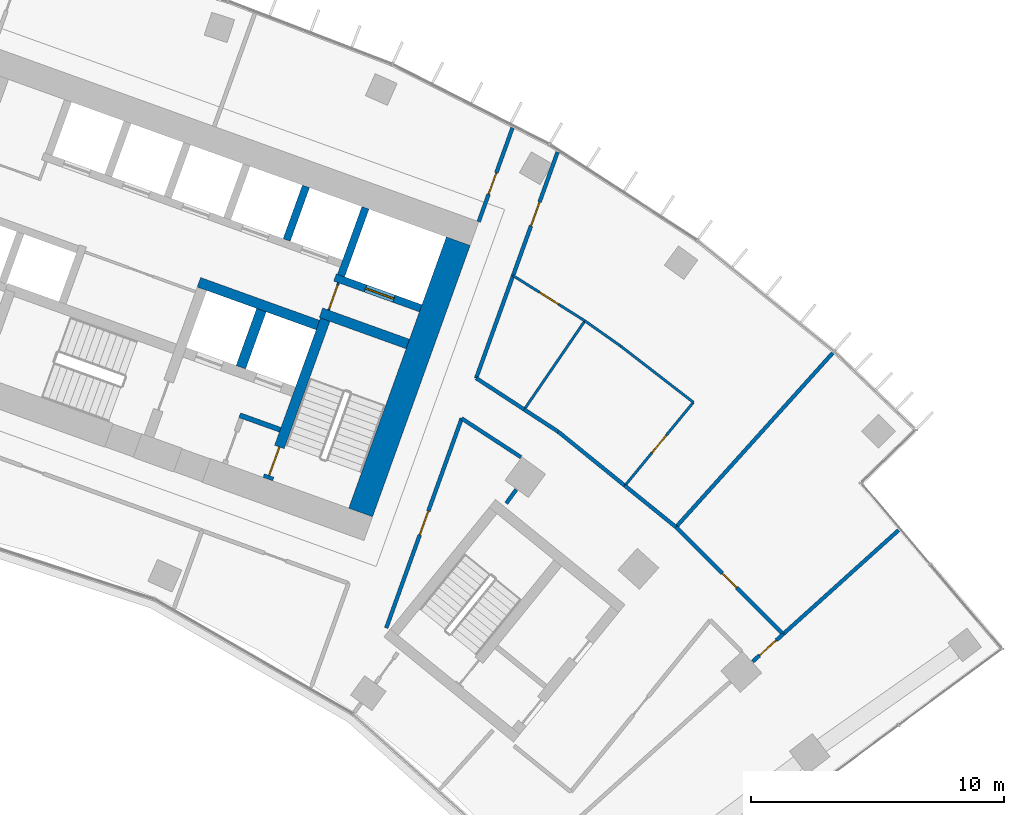
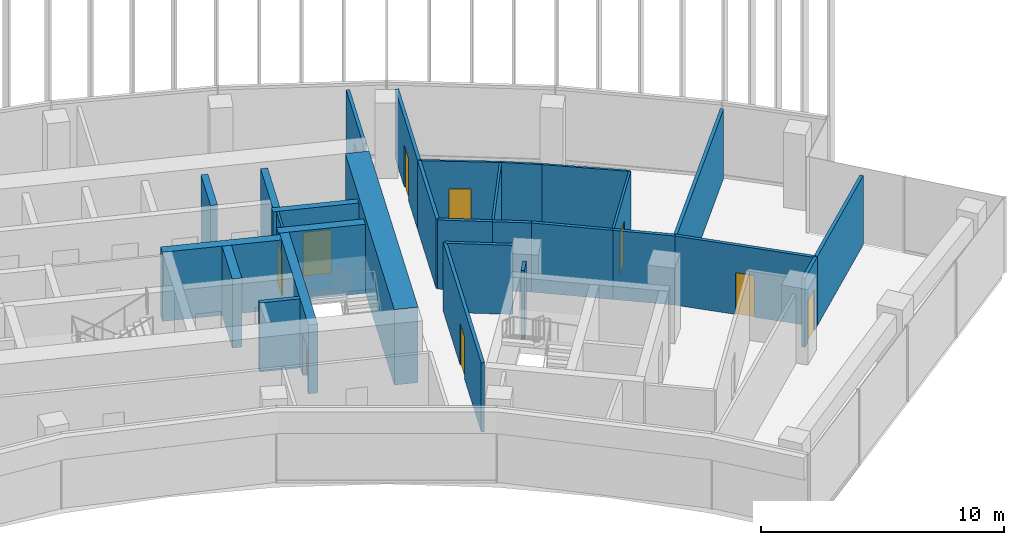
# One storey, part 17 of 19: 29 walls, 10 doors, 10 openings.
"""IFC4 building model written with IfcOpenShell, lengths in metres."""

from ifc_helpers import new_model, si_unit, direction, frame, frame_2d, origin, place, context, subcontext, project, spatial, rectangle, extrude, material, layer, layer_set, type_object, element, fill, save


model = new_model("IFC4")

# Units and contexts
model_context = context("Model", 3, precision=1e-05, world=origin(), true_north=direction((0.0, 1.0)))
body_context = subcontext(model_context, "Body", "Model", "MODEL_VIEW")
ifc_project = project(units=[si_unit("LENGTHUNIT", "METRE"), si_unit("AREAUNIT", "SQUARE_METRE"), si_unit("VOLUMEUNIT", "CUBIC_METRE"), si_unit("PLANEANGLEUNIT", "RADIAN"), si_unit("MASSUNIT", "GRAM", prefix="KILO")], contexts=[model_context])

# Site, building, storey
site_placement = place(None, origin())
site = spatial("IfcSite", under=ifc_project, at=site_placement, CompositionType="ELEMENT")
building_placement = place(site_placement, origin())
building = spatial("IfcBuilding", under=site, at=building_placement, Name="Stone Belt Terrace Tower", CompositionType="ELEMENT")
storey_placement = place(building_placement, frame((0.0, 0.0, 235.199951171875)))
storey = spatial("IfcBuildingStorey", under=building, at=storey_placement, Name="L57", CompositionType="ELEMENT", Elevation=235.199951171875)

# Wall, opening, door
ifc_material_1 = material(Name="Plasterboard partition")
ifc_layer_1 = layer(ifc_material_1, 0.10009765625)
ifc_layer_set_1 = layer_set([ifc_layer_1], Name="Core partition 100")
wall_type_1 = type_object("IfcWallType", Name="Core partition 100", PredefinedType="PARTITIONING", material=ifc_layer_set_1)
wall_1_placement = place(storey_placement, frame((24.555908203125, 51.10400390625, 0.0), z_axis=(0.0, 0.0, 1.0), x_axis=(0.338621735342, 0.94092258999, 0.0)))
wall_1 = element("IfcWall", 1, at=wall_1_placement, inside=storey, type_object=wall_type_1, Name="Core B wall", PredefinedType="PARTITIONING", context=body_context, shape_type="SweptSolid", body=[
    extrude(rectangle(XDim=1.14990234375, YDim=0.10009765625, at=frame_2d((0.574951171875, 0.0))), origin(), (0.0, 0.0, 1.0), 3.47998046875),
])
opening_1_placement = place(wall_1_placement, frame((0.050048828125, 0.0, 0.0)))
opening_1 = element("IfcOpeningElement", 2, at=opening_1_placement, cuts=wall_1, Name="Opening L57-C14", PredefinedType="OPENING", context=body_context, shape_type="SweptSolid", body=[
    extrude(rectangle(XDim=1.0, YDim=2.10009765625, at=frame_2d((0.5, 1.050048828125))), frame((0.0, 0.06005859375, 0.0), z_axis=(0.0, -1.0, 0.0), x_axis=(1.0, 0.0, 0.0)), (0.0, 0.0, 1.0), 0.1201171875),
])
ifc_material_2 = material(Name="Timber door leaf", Category="wood")
door_type_1 = type_object("IfcDoorType", Name="Core room door 1000", OperationType="SINGLE_SWING_LEFT", PredefinedType="DOOR", material=ifc_material_2)
door_1_placement = place(opening_1_placement, origin())
door_1 = element("IfcDoor", 3, at=door_1_placement, inside=storey, type_object=door_type_1, Name="Service lift lobby door core B", OperationType="SINGLE_SWING_RIGHT", OverallHeight=2.10009765625, OverallWidth=1.0, PredefinedType="DOOR", context=body_context, shape_type="SweptSolid", body=[
    extrude(rectangle(XDim=1.0, YDim=2.10009765625, at=frame_2d((0.5, 1.050048828125))), frame((0.0, 0.02490234375, 0.0), z_axis=(0.0, -1.0, 0.0), x_axis=(1.0, 0.0, 0.0)), (0.0, 0.0, 1.0), 0.050048828125),
])
fill(opening_1, door_1)

# Walls
ifc_material_3 = material(Name="Concrete B60", Category="concrete")
ifc_layer_2 = layer(ifc_material_3, 1.0)
ifc_layer_set_2 = layer_set([ifc_layer_2], Name="Core wall 1000 B60")
wall_type_2 = type_object("IfcWallType", Name="Core wall 1000 B60", PredefinedType="SHEAR", material=ifc_layer_set_2)
wall_2_placement = place(storey_placement, frame((25.821044921875, 43.102783203125, 0.0), z_axis=(0.0, 0.0, 1.0), x_axis=(0.338625431531, 0.940921259788, 0.0)))
element("IfcWall", 4, at=wall_2_placement, inside=storey, type_object=wall_type_2, Name="Core B wall end_b L57", PredefinedType="SHEAR", context=body_context, shape_type="SweptSolid", body=[
    extrude(rectangle(XDim=11.400146484375, YDim=1.0, at=frame_2d((5.7001953125, 0.0))), origin(), (0.0, 0.0, 1.0), 3.800048828125),
])
ifc_material_4 = material(Name="Concrete B80", Category="concrete")
ifc_layer_3 = layer(ifc_material_4, 0.39990234375)
ifc_layer_set_3 = layer_set([ifc_layer_3], Name="Fire-fighting lift shaft wall 400")
wall_type_3 = type_object("IfcWallType", Name="Fire-fighting lift shaft wall 400", PredefinedType="SHEAR", material=ifc_layer_set_3)
wall_3_placement = place(storey_placement, frame((24.130615234375, 50.512939453125, 0.0), z_axis=(0.0, 0.0, 1.0), x_axis=(-0.94091168377, 0.338652038744, 0.0)))
element("IfcWall", 5, at=wall_3_placement, inside=storey, type_object=wall_type_3, Name="Core B wall", PredefinedType="SHEAR", context=body_context, shape_type="SweptSolid", body=[
    extrude(rectangle(XDim=5.000244140625, YDim=0.39990234375, at=frame_2d((2.5, 0.0))), origin(), (0.0, 0.0, 1.0), 3.47998046875),
])
wall_4_placement = place(storey_placement, frame((21.0859375, 48.845458984375, 0.0), z_axis=(0.0, 0.0, 1.0), x_axis=(0.338629416206, 0.940919825745, 0.0)))
element("IfcWall", 6, at=wall_4_placement, inside=storey, type_object=wall_type_3, Name="Core B wall", PredefinedType="SHEAR", context=body_context, shape_type="SweptSolid", body=[
    extrude(rectangle(XDim=2.400146484375, YDim=0.39990234375, at=frame_2d((1.2001953125, 0.0))), origin(), (0.0, 0.0, 1.0), 3.47998046875),
])

# Wall, opening, door
ifc_layer_4 = layer(ifc_material_4, 0.300048828125)
ifc_layer_set_4 = layer_set([ifc_layer_4], Name="Lift shaft wall 300")
wall_type_4 = type_object("IfcWallType", Name="Lift shaft wall 300", PredefinedType="SHEAR", material=ifc_layer_set_4)
wall_5_placement = place(storey_placement, frame((28.195068359375, 51.17578125, 0.0), z_axis=(0.0, 0.0, 1.0), x_axis=(-0.940901243567, 0.338681044427, 0.0)))
wall_5 = element("IfcWall", 7, at=wall_5_placement, inside=storey, type_object=wall_type_4, Name="Core B wall", PredefinedType="SHEAR", context=body_context, shape_type="SweptSolid", body=[
    extrude(rectangle(XDim=3.599853515625, YDim=0.300048828125, at=frame_2d((1.7998046875, 0.0))), origin(), (0.0, 0.0, 1.0), 3.47998046875),
])
opening_2_placement = place(wall_5_placement, frame((1.1201171875, 0.0, 0.0)))
opening_2 = element("IfcOpeningElement", 8, at=opening_2_placement, cuts=wall_5, Name="Opening L57-LD16", PredefinedType="OPENING", context=body_context, shape_type="SweptSolid", body=[
    extrude(rectangle(XDim=1.199951171875, YDim=2.199951171875, at=frame_2d((0.60009765625, 1.10009765625))), frame((0.0, 0.159912109375, 0.0), z_axis=(0.0, -1.0, 0.0), x_axis=(1.0, 0.0, 0.0)), (0.0, 0.0, 1.0), 0.320068359375),
])
ifc_material_5 = material(Name="Stainless steel door leaf", Category="steel")
door_type_2 = type_object("IfcDoorType", Name="Landing door 1200", OperationType="SLIDING_TO_LEFT", PredefinedType="DOOR", material=ifc_material_5)
door_2_placement = place(opening_2_placement, origin())
door_2 = element("IfcDoor", 9, at=door_2_placement, inside=storey, type_object=door_type_2, Name="Landing door SV1 core B", OperationType="SLIDING_TO_LEFT", OverallHeight=2.199951171875, OverallWidth=1.199951171875, PredefinedType="DOOR", context=body_context, shape_type="SweptSolid", body=[
    extrude(rectangle(XDim=1.199951171875, YDim=2.199951171875, at=frame_2d((0.60009765625, 1.10009765625))), frame((0.0, 0.02490234375, 0.0), z_axis=(0.0, -1.0, 0.0), x_axis=(1.0, 0.0, 0.0)), (0.0, 0.0, 1.0), 0.050048828125),
])
fill(opening_2, door_2)

# Walls
wall_6_placement = place(storey_placement, frame((25.046875, 52.46826171875, 0.0), z_axis=(0.0, 0.0, 1.0), x_axis=(0.338549588058, 0.940948551423, 0.0)))
element("IfcWall", 10, at=wall_6_placement, inside=storey, type_object=wall_type_4, Name="Core B wall", PredefinedType="SHEAR", context=body_context, shape_type="SweptSolid", body=[
    extrude(rectangle(XDim=2.849853515625, YDim=0.300048828125, at=frame_2d((1.4248046875, 0.0))), origin(), (0.0, 0.0, 1.0), 3.47998046875),
])
wall_7_placement = place(storey_placement, frame((22.897705078125, 53.87939453125, 0.0), z_axis=(0.0, 0.0, 1.0), x_axis=(0.338535034312, 0.940953787677, 0.0)))
element("IfcWall", 11, at=wall_7_placement, inside=storey, type_object=wall_type_4, Name="Core B wall", PredefinedType="SHEAR", context=body_context, shape_type="SweptSolid", body=[
    extrude(rectangle(XDim=2.25, YDim=0.300048828125, at=frame_2d((1.125, 0.0))), origin(), (0.0, 0.0, 1.0), 3.47998046875),
])

# Wall, opening, door
ifc_material_6 = material(Name="Gypsum board partition")
ifc_layer_5 = layer(ifc_material_6, 0.10009765625)
ifc_layer_set_5 = layer_set([ifc_layer_5], Name="PARTITION 100")
wall_type_5 = type_object("IfcWallType", Name="PARTITION 100", PredefinedType="PARTITIONING", material=ifc_layer_set_5)
wall_8_placement = place(storey_placement, frame((34.68896484375, 50.679931640625, 0.0), z_axis=(0.0, 0.0, 1.0), x_axis=(-0.846227980526, 0.532820987738, 0.0)))
wall_8 = element("IfcWall", 12, at=wall_8_placement, inside=storey, type_object=wall_type_5, Name="L57/wall/i060", PredefinedType="PARTITIONING", context=body_context, shape_type="SweptSolid", body=[
    extrude(rectangle(XDim=3.35595703125, YDim=0.10009765625, at=frame_2d((1.677978515625, 0.0))), origin(), (0.0, 0.0, 1.0), 3.47998046875),
])
opening_3_placement = place(wall_8_placement, frame((1.22802734375, 0.0, 0.0)))
opening_3 = element("IfcOpeningElement", 13, at=opening_3_placement, cuts=wall_8, Name="Opening D-D4-20", PredefinedType="OPENING", context=body_context, shape_type="SweptSolid", body=[
    extrude(rectangle(XDim=0.89990234375, YDim=2.10009765625, at=frame_2d((0.449951171875, 1.050048828125))), frame((0.0, 0.06005859375, 0.0), z_axis=(0.0, -1.0, 0.0), x_axis=(1.0, 0.0, 0.0)), (0.0, 0.0, 1.0), 0.1201171875),
])
door_type_3 = type_object("IfcDoorType", Name="OFFICE DOOR 900 X 2100", OperationType="NOTDEFINED", PredefinedType="DOOR", material=ifc_material_2)
door_3_placement = place(opening_3_placement, origin())
door_3 = element("IfcDoor", 14, at=door_3_placement, inside=storey, type_object=door_type_3, Name="L57/door/i20", OperationType="SINGLE_SWING_RIGHT", OverallHeight=2.10009765625, OverallWidth=0.89990234375, PredefinedType="DOOR", context=body_context, shape_type="SweptSolid", body=[
    extrude(rectangle(XDim=0.89990234375, YDim=2.10009765625, at=frame_2d((0.449951171875, 1.050048828125))), frame((0.0, 0.02490234375, 0.0), z_axis=(0.0, -1.0, 0.0), x_axis=(1.0, 0.0, 0.0)), (0.0, 0.0, 1.0), 0.050048828125),
])
fill(opening_3, door_3)

wall_9_placement = place(storey_placement, frame((36.27099609375, 44.162109375, 0.0), z_axis=(0.0, 0.0, 1.0), x_axis=(0.634607645359, 0.772834481925, 0.0)))
wall_9 = element("IfcWall", 15, at=wall_9_placement, inside=storey, type_object=wall_type_5, Name="L57/wall/i061", PredefinedType="PARTITIONING", context=body_context, shape_type="SweptSolid", body=[
    extrude(rectangle(XDim=4.267333984375, YDim=0.10009765625, at=frame_2d((2.1337890625, 0.0))), origin(), (0.0, 0.0, 1.0), 3.47998046875),
])
opening_4_placement = place(wall_9_placement, frame((1.68359375, 0.0, 0.0)))
opening_4 = element("IfcOpeningElement", 16, at=opening_4_placement, cuts=wall_9, Name="Opening D-D4-21", PredefinedType="OPENING", context=body_context, shape_type="SweptSolid", body=[
    extrude(rectangle(XDim=0.89990234375, YDim=2.10009765625, at=frame_2d((0.449951171875, 1.050048828125))), frame((0.0, 0.06005859375, 0.0), z_axis=(0.0, -1.0, 0.0), x_axis=(1.0, 0.0, 0.0)), (0.0, 0.0, 1.0), 0.1201171875),
])
door_4_placement = place(opening_4_placement, origin())
door_4 = element("IfcDoor", 17, at=door_4_placement, inside=storey, type_object=door_type_3, Name="L57/door/i21", OperationType="SINGLE_SWING_RIGHT", OverallHeight=2.10009765625, OverallWidth=0.89990234375, PredefinedType="DOOR", context=body_context, shape_type="SweptSolid", body=[
    extrude(rectangle(XDim=0.89990234375, YDim=2.10009765625, at=frame_2d((0.449951171875, 1.050048828125))), frame((0.0, 0.02490234375, 0.0), z_axis=(0.0, -1.0, 0.0), x_axis=(1.0, 0.0, 0.0)), (0.0, 0.0, 1.0), 0.050048828125),
])
fill(opening_4, door_4)

# Walls
wall_10_placement = place(storey_placement, frame((38.97900390625, 47.4599609375, 0.0), z_axis=(0.0, 0.0, 1.0), x_axis=(-0.791190586797, 0.611569665176, 0.0)))
element("IfcWall", 18, at=wall_10_placement, inside=storey, type_object=wall_type_5, Name="L57/wall/i062", PredefinedType="PARTITIONING", context=body_context, shape_type="SweptSolid", body=[
    extrude(rectangle(XDim=3.639892578125, YDim=0.10009765625, at=frame_2d((1.81982421875, 0.0))), origin(), (0.0, 0.0, 1.0), 3.47998046875),
])
wall_11_placement = place(storey_placement, frame((36.09912109375, 49.68603515625, 0.0), z_axis=(0.0, 0.0, 1.0), x_axis=(-0.817379448186, 0.576099676864, 0.0)))
element("IfcWall", 19, at=wall_11_placement, inside=storey, type_object=wall_type_5, Name="L57/wall/i063", PredefinedType="PARTITIONING", context=body_context, shape_type="SweptSolid", body=[
    extrude(rectangle(XDim=1.72509765625, YDim=0.10009765625, at=frame_2d((0.862548828125, 0.0))), origin(), (0.0, 0.0, 1.0), 3.47998046875),
])
wall_12_placement = place(storey_placement, frame((34.68896484375, 50.679931640625, 0.0), z_axis=(0.0, 0.0, 1.0), x_axis=(-0.564819912934, -0.825214193984, 0.0)))
element("IfcWall", 20, at=wall_12_placement, inside=storey, type_object=wall_type_5, Name="L57/wall/i065", PredefinedType="PARTITIONING", context=body_context, shape_type="SweptSolid", body=[
    extrude(rectangle(XDim=4.247314453125, YDim=0.10009765625, at=frame_2d((2.12353515625, 0.0))), origin(), (0.0, 0.0, 1.0), 3.47998046875),
])

# Wall, opening, door
ifc_layer_6 = layer(ifc_material_6, 0.14990234375)
ifc_layer_set_6 = layer_set([ifc_layer_6], Name="PARTITION 150 EI 60")
wall_type_6 = type_object("IfcWallType", Name="PARTITION 150 EI 60", PredefinedType="PARTITIONING", material=ifc_layer_set_6)
wall_13_placement = place(storey_placement, frame((30.490966796875, 54.60107421875, 0.0), z_axis=(0.0, 0.0, 1.0), x_axis=(0.338542007836, 0.940951278723, 0.0)))
wall_13 = element("IfcWall", 21, at=wall_13_placement, inside=storey, type_object=wall_type_6, Name="L57/wall/i022", PredefinedType="PARTITIONING", context=body_context, shape_type="SweptSolid", body=[
    extrude(rectangle(XDim=3.946044921875, YDim=0.14990234375, at=frame_2d((1.97314453125, 0.0))), origin(), (0.0, 0.0, 1.0), 3.47998046875),
])
opening_5_placement = place(wall_13_placement, frame((1.15625, 0.0, 0.0)))
opening_5 = element("IfcOpeningElement", 22, at=opening_5_placement, cuts=wall_13, Name="Opening D-D4-08", PredefinedType="OPENING", context=body_context, shape_type="SweptSolid", body=[
    extrude(rectangle(XDim=0.89990234375, YDim=2.10009765625, at=frame_2d((0.449951171875, 1.050048828125))), frame((0.0, 0.0849609375, 0.0), z_axis=(0.0, -1.0, 0.0), x_axis=(1.0, 0.0, 0.0)), (0.0, 0.0, 1.0), 0.169921875),
])
door_5_placement = place(opening_5_placement, origin())
door_5 = element("IfcDoor", 23, at=door_5_placement, inside=storey, type_object=door_type_3, Name="L57/door/i08", OperationType="SINGLE_SWING_LEFT", OverallHeight=2.10009765625, OverallWidth=0.89990234375, PredefinedType="DOOR", context=body_context, shape_type="SweptSolid", body=[
    extrude(rectangle(XDim=0.89990234375, YDim=2.10009765625, at=frame_2d((0.449951171875, 1.050048828125))), frame((0.0, 0.02490234375, 0.0), z_axis=(0.0, -1.0, 0.0), x_axis=(1.0, 0.0, 0.0)), (0.0, 0.0, 1.0), 0.050048828125),
])
fill(opening_5, door_5)

wall_14_placement = place(storey_placement, frame((29.819091796875, 46.826904296875, 0.0), z_axis=(0.0, 0.0, 1.0), x_axis=(-0.338620385032, -0.940923075942, 0.0)))
wall_14 = element("IfcWall", 24, at=wall_14_placement, inside=storey, type_object=wall_type_6, Name="L57/wall/i023", PredefinedType="PARTITIONING", context=body_context, shape_type="SweptSolid", body=[
    extrude(rectangle(XDim=8.8125, YDim=0.14990234375, at=frame_2d((4.40625, 0.0))), origin(), (0.0, 0.0, 1.0), 3.47998046875),
])
opening_6_placement = place(wall_14_placement, frame((3.90625, 0.0, 0.0)))
opening_6 = element("IfcOpeningElement", 25, at=opening_6_placement, cuts=wall_14, Name="Opening D-D4-16", PredefinedType="OPENING", context=body_context, shape_type="SweptSolid", body=[
    extrude(rectangle(XDim=1.0, YDim=2.10009765625, at=frame_2d((0.5, 1.050048828125))), frame((0.0, 0.0849609375, 0.0), z_axis=(0.0, -1.0, 0.0), x_axis=(1.0, 0.0, 0.0)), (0.0, 0.0, 1.0), 0.169921875),
])
ifc_material_7 = material(Name="Timber fire door leaf", Category="wood")
door_type_4 = type_object("IfcDoorType", Name="TENANCY ENTRANCE DOOR 1000 X 2100", OperationType="NOTDEFINED", PredefinedType="DOOR", material=ifc_material_7)
door_6_placement = place(opening_6_placement, origin())
door_6 = element("IfcDoor", 26, at=door_6_placement, inside=storey, type_object=door_type_4, Name="L57/door/i16", OperationType="SINGLE_SWING_RIGHT", OverallHeight=2.10009765625, OverallWidth=1.0, PredefinedType="DOOR", context=body_context, shape_type="SweptSolid", body=[
    extrude(rectangle(XDim=1.0, YDim=2.10009765625, at=frame_2d((0.5, 1.050048828125))), frame((0.0, 0.02490234375, 0.0), z_axis=(0.0, -1.0, 0.0), x_axis=(1.0, 0.0, 0.0)), (0.0, 0.0, 1.0), 0.050048828125),
])
fill(opening_6, door_6)

wall_15_placement = place(storey_placement, frame((33.60791015625, 57.35400390625, 0.0), z_axis=(0.0, 0.0, 1.0), x_axis=(-0.338691201609, -0.940897587388, 0.0)))
wall_15 = element("IfcWall", 27, at=wall_15_placement, inside=storey, type_object=wall_type_6, Name="L57/wall/i026", PredefinedType="PARTITIONING", context=body_context, shape_type="SweptSolid", body=[
    extrude(rectangle(XDim=5.199462890625, YDim=0.14990234375, at=frame_2d((2.599609375, 0.0))), origin(), (0.0, 0.0, 1.0), 3.47998046875),
])
opening_7_placement = place(wall_15_placement, frame((2.099609375, 0.0, 0.0)))
opening_7 = element("IfcOpeningElement", 28, at=opening_7_placement, cuts=wall_15, Name="Opening D-D4-19", PredefinedType="OPENING", context=body_context, shape_type="SweptSolid", body=[
    extrude(rectangle(XDim=1.0, YDim=2.10009765625, at=frame_2d((0.5, 1.050048828125))), frame((0.0, 0.0849609375, 0.0), z_axis=(0.0, -1.0, 0.0), x_axis=(1.0, 0.0, 0.0)), (0.0, 0.0, 1.0), 0.169921875),
])
door_7_placement = place(opening_7_placement, origin())
door_7 = element("IfcDoor", 29, at=door_7_placement, inside=storey, type_object=door_type_4, Name="L57/door/i19", OperationType="SINGLE_SWING_RIGHT", OverallHeight=2.10009765625, OverallWidth=1.0, PredefinedType="DOOR", context=body_context, shape_type="SweptSolid", body=[
    extrude(rectangle(XDim=1.0, YDim=2.10009765625, at=frame_2d((0.5, 1.050048828125))), frame((0.0, 0.02490234375, 0.0), z_axis=(0.0, -1.0, 0.0), x_axis=(1.0, 0.0, 0.0)), (0.0, 0.0, 1.0), 0.050048828125),
])
fill(opening_7, door_7)

# Wall
wall_16_placement = place(storey_placement, frame((31.85107421875, 52.47412109375, 0.0), z_axis=(0.0, 0.0, 1.0), x_axis=(-0.3385233076, -0.940958006614, 0.0)))
element("IfcWall", 30, at=wall_16_placement, inside=storey, type_object=wall_type_6, Name="L57/wall/i027", PredefinedType="PARTITIONING", context=body_context, shape_type="SweptSolid", body=[
    extrude(rectangle(XDim=4.3193359375, YDim=0.14990234375, at=frame_2d((2.15966796875, 0.0))), origin(), (0.0, 0.0, 1.0), 3.47998046875),
])

# Wall, opening, door
wall_17_placement = place(storey_placement, frame((42.531005859375, 38.2939453125, 0.0), z_axis=(0.0, 0.0, 1.0), x_axis=(-0.743450987947, -0.668790421972, 0.0)))
wall_17 = element("IfcWall", 31, at=wall_17_placement, inside=storey, type_object=wall_type_6, Name="L57/wall/i046", PredefinedType="PARTITIONING", context=body_context, shape_type="SweptSolid", body=[
    extrude(rectangle(XDim=1.625244140625, YDim=0.14990234375, at=frame_2d((0.8125, 0.0))), origin(), (0.0, 0.0, 1.0), 3.47998046875),
])
opening_8_placement = place(wall_17_placement, frame((0.36279296875, 0.0, 0.0)))
opening_8 = element("IfcOpeningElement", 32, at=opening_8_placement, cuts=wall_17, Name="Opening D-D4-15", PredefinedType="OPENING", context=body_context, shape_type="SweptSolid", body=[
    extrude(rectangle(XDim=0.89990234375, YDim=2.10009765625, at=frame_2d((0.449951171875, 1.050048828125))), frame((0.0, 0.0849609375, 0.0), z_axis=(0.0, -1.0, 0.0), x_axis=(1.0, 0.0, 0.0)), (0.0, 0.0, 1.0), 0.169921875),
])
door_8_placement = place(opening_8_placement, origin())
door_8 = element("IfcDoor", 33, at=door_8_placement, inside=storey, type_object=door_type_3, Name="L57/door/i15", OperationType="SINGLE_SWING_RIGHT", OverallHeight=2.10009765625, OverallWidth=0.89990234375, PredefinedType="DOOR", context=body_context, shape_type="SweptSolid", body=[
    extrude(rectangle(XDim=0.89990234375, YDim=2.10009765625, at=frame_2d((0.449951171875, 1.050048828125))), frame((0.0, 0.02490234375, 0.0), z_axis=(0.0, -1.0, 0.0), x_axis=(1.0, 0.0, 0.0)), (0.0, 0.0, 1.0), 0.050048828125),
])
fill(opening_8, door_8)

# Walls
wall_18_placement = place(storey_placement, frame((42.52197265625, 38.287109375, 0.0), z_axis=(0.0, 0.0, 1.0), x_axis=(0.743181838168, 0.669089497315, 0.0)))
element("IfcWall", 34, at=wall_18_placement, inside=storey, type_object=wall_type_6, Name="L57/wall/i048", PredefinedType="PARTITIONING", context=body_context, shape_type="SweptSolid", body=[
    extrude(rectangle(XDim=6.161865234375, YDim=0.14990234375, at=frame_2d((3.0810546875, 0.0))), origin(), (0.0, 0.0, 1.0), 3.47998046875),
])
wall_19_placement = place(storey_placement, frame((31.580078125, 43.466064453125, 0.0), z_axis=(0.0, 0.0, 1.0), x_axis=(0.587823865289, 0.808988938983, 0.0)))
element("IfcWall", 35, at=wall_19_placement, inside=storey, type_object=wall_type_6, Name="L57/wall/i049", PredefinedType="PARTITIONING", context=body_context, shape_type="SweptSolid", body=[
    extrude(rectangle(XDim=0.66796875, YDim=0.14990234375, at=frame_2d((0.333984375, 0.0))), origin(), (0.0, 0.0, 1.0), 3.47998046875),
])
wall_20_placement = place(storey_placement, frame((32.15869140625, 45.2919921875, 0.0), z_axis=(0.0, 0.0, 1.0), x_axis=(-0.837346388284, 0.546672686374, 0.0)))
element("IfcWall", 36, at=wall_20_placement, inside=storey, type_object=wall_type_6, Name="L57/wall/i050", PredefinedType="PARTITIONING", context=body_context, shape_type="SweptSolid", body=[
    extrude(rectangle(XDim=2.795166015625, YDim=0.14990234375, at=frame_2d((1.3974609375, 0.0))), origin(), (0.0, 0.0, 1.0), 3.47998046875),
])
wall_21_placement = place(storey_placement, frame((36.26611328125, 44.166015625, 0.0), z_axis=(0.0, 0.0, 1.0), x_axis=(0.777150988043, -0.629314183683, 0.0)))
element("IfcWall", 37, at=wall_21_placement, inside=storey, type_object=wall_type_6, Name="L57/wall/i052", PredefinedType="PARTITIONING", context=body_context, shape_type="SweptSolid", body=[
    extrude(rectangle(XDim=2.604248046875, YDim=0.14990234375, at=frame_2d((1.30224609375, 0.0))), origin(), (0.0, 0.0, 1.0), 3.47998046875),
])
wall_22_placement = place(storey_placement, frame((30.39111328125, 48.4150390625, 0.0), z_axis=(0.0, 0.0, 1.0), x_axis=(0.837347746965, -0.546670605258, 0.0)))
element("IfcWall", 38, at=wall_22_placement, inside=storey, type_object=wall_type_6, Name="L57/wall/i053", PredefinedType="PARTITIONING", context=body_context, shape_type="SweptSolid", body=[
    extrude(rectangle(XDim=2.273681640625, YDim=0.14990234375, at=frame_2d((1.13671875, 0.0))), origin(), (0.0, 0.0, 1.0), 3.47998046875),
])
wall_23_placement = place(storey_placement, frame((32.284912109375, 47.177978515625, 0.0), z_axis=(0.0, 0.0, 1.0), x_axis=(0.837342595349, -0.546678496024, 0.0)))
element("IfcWall", 39, at=wall_23_placement, inside=storey, type_object=wall_type_6, Name="L57/wall/i054", PredefinedType="PARTITIONING", context=body_context, shape_type="SweptSolid", body=[
    extrude(rectangle(XDim=1.613525390625, YDim=0.14990234375, at=frame_2d((0.806640625, 0.0))), origin(), (0.0, 0.0, 1.0), 3.47998046875),
])
wall_24_placement = place(storey_placement, frame((33.635986328125, 46.2958984375, 0.0), z_axis=(0.0, 0.0, 1.0), x_axis=(0.777003753109, -0.629495963176, 0.0)))
element("IfcWall", 40, at=wall_24_placement, inside=storey, type_object=wall_type_6, Name="L57/wall/i055", PredefinedType="PARTITIONING", context=body_context, shape_type="SweptSolid", body=[
    extrude(rectangle(XDim=3.396240234375, YDim=0.14990234375, at=frame_2d((1.6982421875, 0.0))), origin(), (0.0, 0.0, 1.0), 3.47998046875),
])

# Wall, opening, door
wall_25_placement = place(storey_placement, frame((38.291015625, 42.52587890625, 0.0), z_axis=(0.0, 0.0, 1.0), x_axis=(0.707106781187, -0.707106781187, 0.0)))
wall_25 = element("IfcWall", 41, at=wall_25_placement, inside=storey, type_object=wall_type_6, Name="L57/wall/i056", PredefinedType="PARTITIONING", context=body_context, shape_type="SweptSolid", body=[
    extrude(rectangle(XDim=5.989013671875, YDim=0.14990234375, at=frame_2d((2.99462890625, 0.0))), origin(), (0.0, 0.0, 1.0), 3.47998046875),
])
opening_9_placement = place(wall_25_placement, frame((2.594482421875, 0.0, 0.0)))
opening_9 = element("IfcOpeningElement", 42, at=opening_9_placement, cuts=wall_25, Name="Opening D-D4-22", PredefinedType="OPENING", context=body_context, shape_type="SweptSolid", body=[
    extrude(rectangle(XDim=0.800048828125, YDim=2.10009765625, at=frame_2d((0.39990234375, 1.050048828125))), frame((0.0, 0.0849609375, 0.0), z_axis=(0.0, -1.0, 0.0), x_axis=(1.0, 0.0, 0.0)), (0.0, 0.0, 1.0), 0.169921875),
])
door_type_5 = type_object("IfcDoorType", Name="STORE DOOR 800 X 2100", OperationType="NOTDEFINED", PredefinedType="DOOR", material=ifc_material_2)
door_9_placement = place(opening_9_placement, origin())
door_9 = element("IfcDoor", 43, at=door_9_placement, inside=storey, type_object=door_type_5, Name="L57/door/i22", OperationType="SINGLE_SWING_RIGHT", OverallHeight=2.10009765625, OverallWidth=0.800048828125, PredefinedType="DOOR", context=body_context, shape_type="SweptSolid", body=[
    extrude(rectangle(XDim=0.800048828125, YDim=2.10009765625, at=frame_2d((0.39990234375, 1.050048828125))), frame((0.0, 0.02490234375, 0.0), z_axis=(0.0, -1.0, 0.0), x_axis=(1.0, 0.0, 0.0)), (0.0, 0.0, 1.0), 0.050048828125),
])
fill(opening_9, door_9)

# Walls
wall_26_placement = place(storey_placement, frame((44.496826171875, 49.41943359375, 0.0), z_axis=(0.0, 0.0, 1.0), x_axis=(-0.669060704206, -0.743207759706, 0.0)))
element("IfcWall", 44, at=wall_26_placement, inside=storey, type_object=wall_type_6, Name="L57/wall/i064", PredefinedType="PARTITIONING", context=body_context, shape_type="SweptSolid", body=[
    extrude(rectangle(XDim=9.275390625, YDim=0.14990234375, at=frame_2d((4.6376953125, 0.0))), origin(), (0.0, 0.0, 1.0), 3.47998046875),
])
ifc_material_8 = material(Name="Concrete masonry block", Category="masonry")
ifc_layer_7 = layer(ifc_material_8, 0.199951171875)
ifc_layer_set_7 = layer_set([ifc_layer_7], Name="Rated lobby wall 200")
wall_type_7 = type_object("IfcWallType", Name="Rated lobby wall 200", PredefinedType="PARTITIONING", material=ifc_layer_set_7)
wall_27_placement = place(storey_placement, frame((22.640625, 46.373046875, 0.0), z_axis=(0.0, 0.0, 1.0), x_axis=(-0.940966110313, 0.338500781747, 0.0)))
element("IfcWall", 45, at=wall_27_placement, inside=storey, type_object=wall_type_7, Name="Core B wall", PredefinedType="PARTITIONING", context=body_context, shape_type="SweptSolid", body=[
    extrude(rectangle(XDim=1.699951171875, YDim=0.199951171875, at=frame_2d((0.85009765625, 0.0))), origin(), (0.0, 0.0, 1.0), 3.47998046875),
])
ifc_layer_8 = layer(ifc_material_4, 0.39990234375)
ifc_layer_set_8 = layer_set([ifc_layer_8], Name="Stair enclosure wall 400")
wall_type_8 = type_object("IfcWallType", Name="Stair enclosure wall 400", PredefinedType="SHEAR", material=ifc_layer_set_8)
wall_28_placement = place(storey_placement, frame((27.687255859375, 49.764404296875, 0.0), z_axis=(0.0, 0.0, 1.0), x_axis=(-0.940918954884, 0.338631835981, 0.0)))
element("IfcWall", 46, at=wall_28_placement, inside=storey, type_object=wall_type_8, Name="Core B wall", PredefinedType="SHEAR", context=body_context, shape_type="SweptSolid", body=[
    extrude(rectangle(XDim=3.650146484375, YDim=0.39990234375, at=frame_2d((1.8251953125, 0.0))), origin(), (0.0, 0.0, 1.0), 3.47998046875),
])

# Wall, opening, door
wall_29_placement = place(storey_placement, frame((22.151611328125, 44.42333984375, 0.0), z_axis=(0.0, 0.0, 1.0), x_axis=(0.338625272931, 0.940921316866, 0.0)))
wall_29 = element("IfcWall", 47, at=wall_29_placement, inside=storey, type_object=wall_type_8, Name="Core B wall", PredefinedType="SHEAR", context=body_context, shape_type="SweptSolid", body=[
    extrude(rectangle(XDim=6.699951171875, YDim=0.39990234375, at=frame_2d((3.35009765625, 0.0))), origin(), (0.0, 0.0, 1.0), 3.47998046875),
])
opening_10_placement = place(wall_29_placement, frame((0.14990234375, 0.0, 0.0)))
opening_10 = element("IfcOpeningElement", 48, at=opening_10_placement, cuts=wall_29, Name="Opening L57-C16", PredefinedType="OPENING", context=body_context, shape_type="SweptSolid", body=[
    extrude(rectangle(XDim=1.199951171875, YDim=2.10009765625, at=frame_2d((0.60009765625, 1.050048828125))), frame((0.0, 0.2099609375, 0.0), z_axis=(0.0, -1.0, 0.0), x_axis=(1.0, 0.0, 0.0)), (0.0, 0.0, 1.0), 0.419921875),
])
ifc_material_9 = material(Name="Steel door leaf", Category="steel")
door_type_6 = type_object("IfcDoorType", Name="Stair door 1200", OperationType="SINGLE_SWING_LEFT", PredefinedType="DOOR", material=ifc_material_9)
door_10_placement = place(opening_10_placement, origin())
door_10 = element("IfcDoor", 49, at=door_10_placement, inside=storey, type_object=door_type_6, Name="Stair 1 door core B", OperationType="SINGLE_SWING_RIGHT", OverallHeight=2.10009765625, OverallWidth=1.199951171875, PredefinedType="DOOR", context=body_context, shape_type="SweptSolid", body=[
    extrude(rectangle(XDim=1.199951171875, YDim=2.10009765625, at=frame_2d((0.60009765625, 1.050048828125))), frame((0.0, 0.02490234375, 0.0), z_axis=(0.0, -1.0, 0.0), x_axis=(1.0, 0.0, 0.0)), (0.0, 0.0, 1.0), 0.050048828125),
])
fill(opening_10, door_10)

save(model, "model.ifc")
